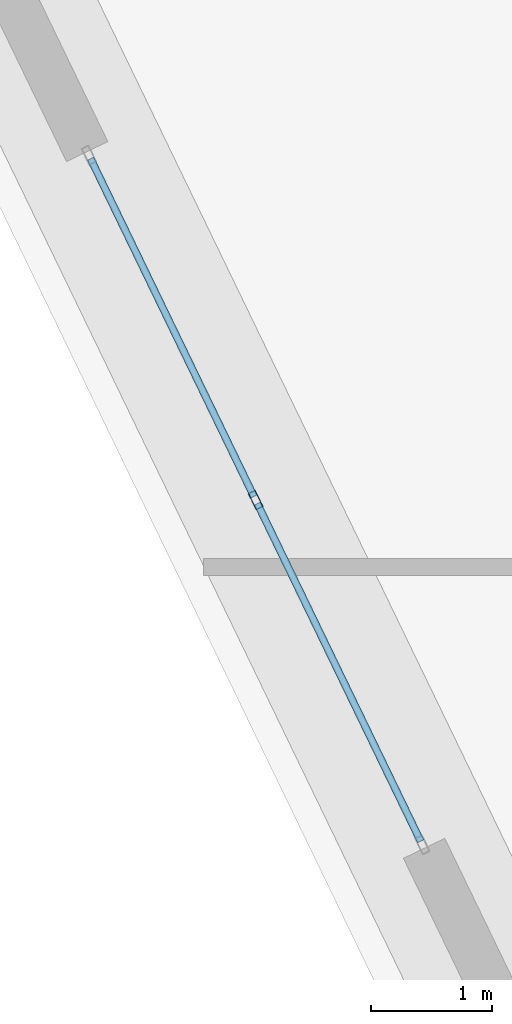
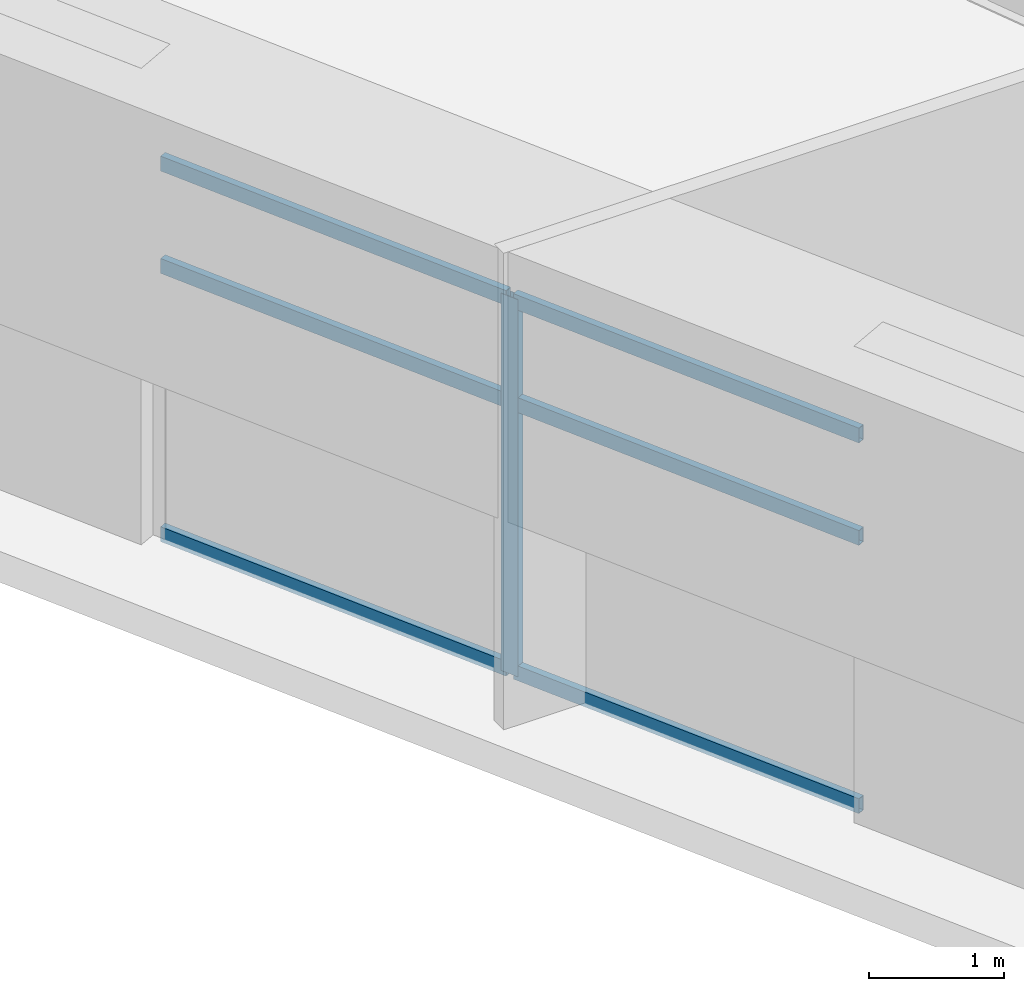
# One storey, part 14 of 39: 7 members, 1 element without a shape of its own.
"""IFC4 building model written with IfcOpenShell, lengths in metres."""

from ifc_helpers import new_model, si_unit, direction, frame, origin, origin_2d, place, context, subcontext, project, spatial, hollow_rectangle, extrude, source, transform, mapped, material, layer, layer_set, material_profile, profile_set, type_object, element, aggregate, save


model = new_model("IFC4")

# Units and contexts
model_context = context("Model", 3, precision=1e-05, world=origin(), true_north=direction((0.0, 1.0)))
body_context = subcontext(model_context, "Body", "Model", "MODEL_VIEW")
ifc_project = project(units=[si_unit("LENGTHUNIT", "METRE"), si_unit("AREAUNIT", "SQUARE_METRE"), si_unit("VOLUMEUNIT", "CUBIC_METRE"), si_unit("PLANEANGLEUNIT", "RADIAN"), si_unit("MASSUNIT", "GRAM", prefix="KILO")], contexts=[model_context])

# Site, building, storey
site_placement = place(None, origin())
site = spatial("IfcSite", under=ifc_project, at=site_placement, CompositionType="ELEMENT")
building_placement = place(site_placement, origin())
building = spatial("IfcBuilding", under=site, at=building_placement, Name="Liaohun Quay Tower", CompositionType="ELEMENT")
storey_placement = place(building_placement, frame((0.0, 0.0, 189.75)))
storey = spatial("IfcBuildingStorey", under=building, at=storey_placement, Name="L49", CompositionType="ELEMENT", Elevation=189.75)

# Curtain wall, members
ifc_material_1 = material(Name="Mid-height zone-break sky-lobby curtain wall")
ifc_layer = layer(ifc_material_1, 0.199951171875, Name="Mid-height zone-break sky-lobby curtain wall")
ifc_layer_set = layer_set([ifc_layer], Name="Mid-height zone-break sky-lobby curtain wall")
curtain_wall_type = type_object("IfcCurtainWallType", Name="CW-SKY-L49", PredefinedType="NOTDEFINED", material=ifc_layer_set)
curtain_wall_placement = place(storey_placement, origin())
curtain_wall = element("IfcCurtainWall", 1, at=curtain_wall_placement, inside=storey, type_object=curtain_wall_type, Name="L49 Panoramic Belvedere Curtain Wall 05", PredefinedType="NOTDEFINED")
ifc_material_2 = material(Name="Anodised aluminium 6063-T6", Category="aluminium")
ifc_material_profile_1 = material_profile(ifc_material_2, hollow_rectangle(XDim=0.06494140625, YDim=0.14990234375, WallThickness=0.00390625, at=origin_2d()), Name="RHS150x65x4")
ifc_profile_set_1 = profile_set([ifc_material_profile_1], Name="Anodised aluminium 6063-T6")
member_type_1 = type_object("IfcMemberType", Name="MEM-CWM-SKY", PredefinedType="MULLION", material=ifc_profile_set_1)
shared_shape_1 = source(origin(), body_context, "Body", "SweptSolid", [
    extrude(hollow_rectangle(XDim=0.06494140625, YDim=0.14990234375, WallThickness=0.00390625, at=origin_2d()), origin(), (0.0, 0.0, 1.0), 3.419921875),
])
member_1_placement = place(storey_placement, frame((31.549072265625, 55.552490234375, 0.0), z_axis=(0.0, 0.0, 1.0), x_axis=(0.900256072744, 0.435360773943, 0.0)))
member_1 = element("IfcMember", 2, at=member_1_placement, type_object=member_type_1, Name="CW4 mullion 2", PredefinedType="MULLION", context=body_context, shape_type="MappedRepresentation", body=[
    mapped(shared_shape_1, transform((0.0, 0.0, 0.0), x_axis=(1.0, 0.0, 0.0), y_axis=(0.0, 1.0, 0.0), z_axis=(0.0, 0.0, 1.0), scale=1.0)),
])
ifc_material_profile_2 = material_profile(ifc_material_2, hollow_rectangle(XDim=0.06005859375, YDim=0.135009765625, WallThickness=0.00390625, at=origin_2d()), Name="RHS135x60x4")
ifc_profile_set_2 = profile_set([ifc_material_profile_2], Name="Anodised aluminium 6063-T6")
member_type_2 = type_object("IfcMemberType", Name="MEM-CWT-SKY", PredefinedType="USERDEFINED", material=ifc_profile_set_2)
shared_shape_2 = source(origin(), body_context, "Body", "SweptSolid", [
    extrude(hollow_rectangle(XDim=0.06005859375, YDim=0.135009765625, WallThickness=0.00390625, at=origin_2d()), origin(), (0.0, 0.0, 1.0), 3.10205078125),
])
member_2_placement = place(storey_placement, frame((30.184326171875, 58.37451171875, 0.030029296875), z_axis=(0.435369609052, -0.900251800062, 0.0), x_axis=(0.900251800062, 0.435369609052, 0.0)))
member_2 = element("IfcMember", 3, at=member_2_placement, type_object=member_type_2, Name="CW4 transom 1.1", ObjectType="TRANSOM", PredefinedType="USERDEFINED", context=body_context, shape_type="MappedRepresentation", body=[
    mapped(shared_shape_2, transform((0.0, 0.0, 0.0), x_axis=(1.0, 0.0, 0.0), y_axis=(0.0, 1.0, 0.0), z_axis=(0.0, 0.0, 1.0), scale=1.0)),
])
member_3_placement = place(storey_placement, frame((30.184326171875, 58.37451171875, 2.4619140625), z_axis=(0.435369609052, -0.900251800062, 0.0), x_axis=(0.900251800062, 0.435369609052, 0.0)))
member_3 = element("IfcMember", 4, at=member_3_placement, type_object=member_type_2, Name="CW4 transom 1.2", ObjectType="TRANSOM", PredefinedType="USERDEFINED", context=body_context, shape_type="MappedRepresentation", body=[
    mapped(shared_shape_2, transform((0.0, 0.0, 0.0), x_axis=(1.0, 0.0, 0.0), y_axis=(0.0, 1.0, 0.0), z_axis=(0.0, 0.0, 1.0), scale=1.0)),
])
member_4_placement = place(storey_placement, frame((30.184326171875, 58.37451171875, 3.389892578125), z_axis=(0.435369609052, -0.900251800062, 0.0), x_axis=(0.900251800062, 0.435369609052, 0.0)))
member_4 = element("IfcMember", 5, at=member_4_placement, type_object=member_type_2, Name="CW4 transom 1.3", ObjectType="TRANSOM", PredefinedType="USERDEFINED", context=body_context, shape_type="MappedRepresentation", body=[
    mapped(shared_shape_2, transform((0.0, 0.0, 0.0), x_axis=(1.0, 0.0, 0.0), y_axis=(0.0, 1.0, 0.0), z_axis=(0.0, 0.0, 1.0), scale=1.0)),
])
member_5_placement = place(storey_placement, frame((31.563232421875, 55.523193359375, 0.030029296875), z_axis=(0.435369609052, -0.900251800062, 0.0), x_axis=(0.900251800062, 0.435369609052, 0.0)))
member_5 = element("IfcMember", 6, at=member_5_placement, type_object=member_type_2, Name="CW4 transom 2.1", ObjectType="TRANSOM", PredefinedType="USERDEFINED", context=body_context, shape_type="MappedRepresentation", body=[
    mapped(shared_shape_2, transform((0.0, 0.0, 0.0), x_axis=(1.0, 0.0, 0.0), y_axis=(0.0, 1.0, 0.0), z_axis=(0.0, 0.0, 1.0), scale=1.0)),
])
member_6_placement = place(storey_placement, frame((31.563232421875, 55.523193359375, 2.4619140625), z_axis=(0.435369609052, -0.900251800062, 0.0), x_axis=(0.900251800062, 0.435369609052, 0.0)))
member_6 = element("IfcMember", 7, at=member_6_placement, type_object=member_type_2, Name="CW4 transom 2.2", ObjectType="TRANSOM", PredefinedType="USERDEFINED", context=body_context, shape_type="MappedRepresentation", body=[
    mapped(shared_shape_2, transform((0.0, 0.0, 0.0), x_axis=(1.0, 0.0, 0.0), y_axis=(0.0, 1.0, 0.0), z_axis=(0.0, 0.0, 1.0), scale=1.0)),
])
member_7_placement = place(storey_placement, frame((31.563232421875, 55.523193359375, 3.389892578125), z_axis=(0.435369609052, -0.900251800062, 0.0), x_axis=(0.900251800062, 0.435369609052, 0.0)))
member_7 = element("IfcMember", 8, at=member_7_placement, type_object=member_type_2, Name="CW4 transom 2.3", ObjectType="TRANSOM", PredefinedType="USERDEFINED", context=body_context, shape_type="MappedRepresentation", body=[
    mapped(shared_shape_2, transform((0.0, 0.0, 0.0), x_axis=(1.0, 0.0, 0.0), y_axis=(0.0, 1.0, 0.0), z_axis=(0.0, 0.0, 1.0), scale=1.0)),
])
aggregate(curtain_wall, [member_1, member_2, member_3, member_4, member_5, member_6, member_7])

save(model, "model.ifc")
